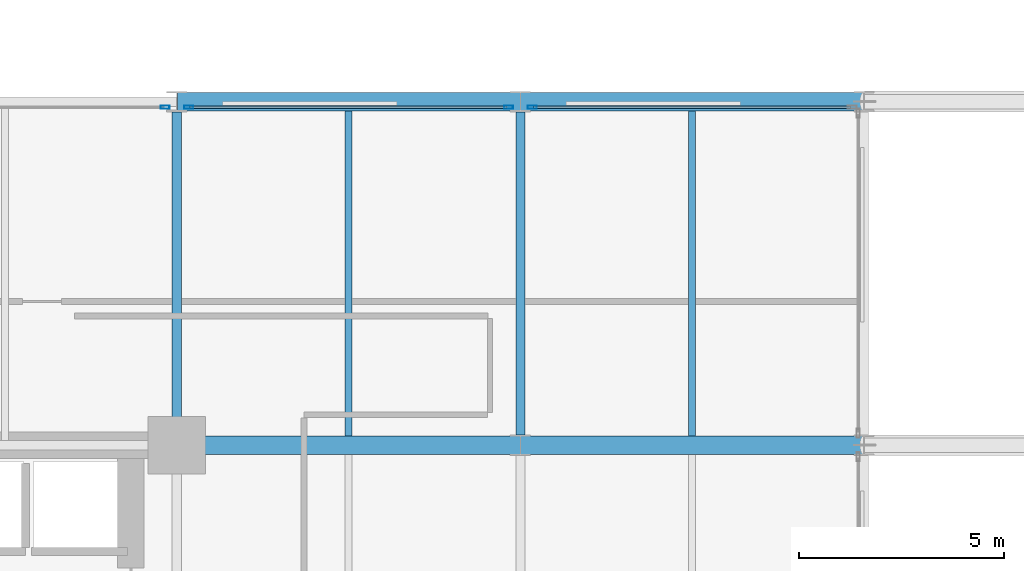
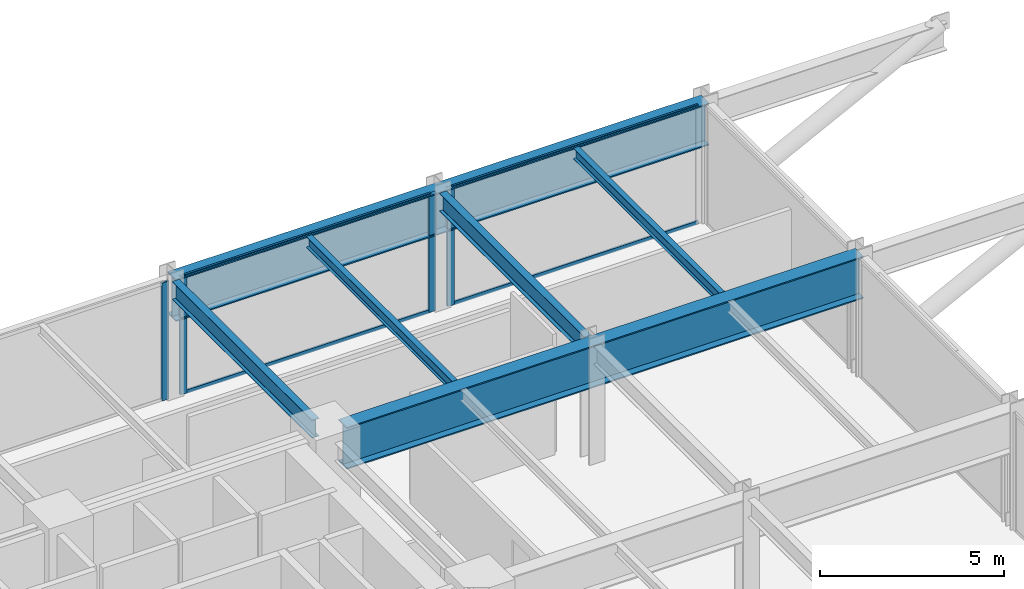
# One storey, part 12 of 25: 8 members, 6 beams, 3 elements without a shape of their own.
"""IFC4 building model written with IfcOpenShell, lengths in metres."""

from ifc_helpers import new_model, si_unit, direction, frame, origin, origin_2d, place, context, subcontext, project, spatial, hollow_rectangle, i_section, extrude, material, layer, layer_set, material_profile, profile_set, type_object, element, aggregate, save


model = new_model("IFC4")

# Units and contexts
model_context = context("Model", 3, precision=1e-05, world=origin(), true_north=direction((0.0, 1.0)))
body_context = subcontext(model_context, "Body", "Model", "MODEL_VIEW")
ifc_project = project(units=[si_unit("LENGTHUNIT", "METRE"), si_unit("AREAUNIT", "SQUARE_METRE"), si_unit("VOLUMEUNIT", "CUBIC_METRE"), si_unit("PLANEANGLEUNIT", "RADIAN"), si_unit("MASSUNIT", "GRAM", prefix="KILO")], contexts=[model_context])

# Site, building, storey
site_placement = place(None, origin())
site = spatial("IfcSite", under=ifc_project, at=site_placement, CompositionType="ELEMENT")
building_placement = place(site_placement, origin())
building = spatial("IfcBuilding", under=site, at=building_placement, Name="Nerrivon Quay Data Exchange", CompositionType="ELEMENT")
storey_placement = place(building_placement, frame((0.0, 0.0, 58.39990234375)))
storey = spatial("IfcBuildingStorey", under=building, at=storey_placement, Name="L13", CompositionType="ELEMENT", Elevation=58.39990234375)

# Beams
ifc_material_1 = material(Name="Steel Grade 350", Category="steel")
ifc_material_profile_1 = material_profile(ifc_material_1, i_section(OverallWidth=0.22802734375, OverallDepth=0.60205078125, WebThickness=0.010498046875, FlangeThickness=0.014892578125, FilletRadius=0.013916015625, at=origin_2d()), Name="610UB101")
ifc_profile_set_1 = profile_set([ifc_material_profile_1], Name="Steel Grade 350")
beam_type_1 = type_object("IfcBeamType", Name="BM-G2-610UB101", PredefinedType="BEAM", material=ifc_profile_set_1)
beam_1_placement = place(storey_placement, frame((33.60009765625, 17.340087890625, 3.6240234375), z_axis=(0.0, 1.0, 0.0), x_axis=(-1.0, 0.0, 0.0)))
element("IfcBeam", 1, at=beam_1_placement, inside=storey, type_object=beam_type_1, Name="L13 NS Girder X=33.6 (16.8..25.2)", PredefinedType="BEAM", context=body_context, shape_type="SweptSolid", body=[
    extrude(i_section(OverallWidth=0.22802734375, OverallDepth=0.60205078125, WebThickness=0.010498046875, FlangeThickness=0.014892578125, FilletRadius=0.013916015625, at=origin_2d()), origin(), (0.0, 0.0, 1.0), 7.60986328125),
])
beam_2_placement = place(storey_placement, frame((42.0, 17.050048828125, 3.6240234375), z_axis=(0.0, 1.0, 0.0), x_axis=(-1.0, 0.0, 0.0)))
element("IfcBeam", 2, at=beam_2_placement, inside=storey, type_object=beam_type_1, Name="L13 NS Girder X=42.0 (16.8..25.2)", PredefinedType="BEAM", context=body_context, shape_type="SweptSolid", body=[
    extrude(i_section(OverallWidth=0.22802734375, OverallDepth=0.60205078125, WebThickness=0.010498046875, FlangeThickness=0.014892578125, FilletRadius=0.013916015625, at=origin_2d()), origin(), (0.0, 0.0, 1.0), 7.89990234375),
])
ifc_material_profile_2 = material_profile(ifc_material_1, i_section(OverallWidth=0.172119140625, OverallDepth=0.35888671875, WebThickness=0.008056640625, FlangeThickness=0.012939453125, FilletRadius=0.011474609375, at=origin_2d()), Name="360UB56.7")
ifc_profile_set_2 = profile_set([ifc_material_profile_2], Name="Steel Grade 350")
beam_type_2 = type_object("IfcBeamType", Name="BM-J3-360UB57", PredefinedType="JOIST", material=ifc_profile_set_2)
for number, where, z_axis, x_axis, name in (
    (3, (37.800048828125, 17.02490234375, 3.74560546875), (0.0, 1.0, 0.0), (-1.0, 0.0, 0.0), "L13 Secondary Joist X=37.8 (16.8..25.2)"),
    (4, (46.199951171875, 17.02490234375, 3.74560546875), (0.0, 1.0, 0.0), (-1.0, 0.0, 0.0), "L13 Secondary Joist X=46.2 (16.8..25.2)"),
):
    element("IfcBeam", number, at=place(storey_placement, frame(where, z_axis=z_axis, x_axis=x_axis)), inside=storey, type_object=beam_type_2, Name=name, PredefinedType="JOIST", context=body_context, shape_type="SweptSolid", body=[
        extrude(i_section(OverallWidth=0.172119140625, OverallDepth=0.35888671875, WebThickness=0.008056640625, FlangeThickness=0.012939453125, FilletRadius=0.011474609375, at=origin_2d()), origin(), (0.0, 0.0, 1.0), 7.9501953125),
    ])
ifc_material_profile_3 = material_profile(ifc_material_1, i_section(OverallWidth=0.449951171875, OverallDepth=1.39990234375, WebThickness=0.02001953125, FlangeThickness=0.0400390625, at=origin_2d()), Name="1400WG455")
ifc_profile_set_3 = profile_set([ifc_material_profile_3], Name="Steel Grade 350")
beam_type_3 = type_object("IfcBeamType", Name="BM-TG1-1400WG", PredefinedType="USERDEFINED", material=ifc_profile_set_3)
beam_3_placement = place(storey_placement, frame((34.139892578125, 16.800048828125, 3.22509765625), z_axis=(1.0, 0.0, 0.0), x_axis=(0.0, 1.0, 0.0)))
element("IfcBeam", 5, at=beam_3_placement, inside=storey, type_object=beam_type_3, Name="L13 EW Girder Y=16.8 (33.6..42.0)", ObjectType="TRANSFER", PredefinedType="USERDEFINED", context=body_context, shape_type="SweptSolid", body=[
    extrude(i_section(OverallWidth=0.449951171875, OverallDepth=1.39990234375, WebThickness=0.02001953125, FlangeThickness=0.0400390625, at=origin_2d()), origin(), (0.0, 0.0, 1.0), 16.24609375),
])
beam_4_placement = place(storey_placement, frame((33.614013671875, 25.199951171875, 3.22509765625), z_axis=(1.0, 0.0, 0.0), x_axis=(0.0, 1.0, 0.0)))
element("IfcBeam", 6, at=beam_4_placement, inside=storey, type_object=beam_type_3, Name="L13 EW Girder Y=25.2 (33.6..42.0)", ObjectType="TRANSFER", PredefinedType="USERDEFINED", context=body_context, shape_type="SweptSolid", body=[
    extrude(i_section(OverallWidth=0.449951171875, OverallDepth=1.39990234375, WebThickness=0.02001953125, FlangeThickness=0.0400390625, at=origin_2d()), origin(), (0.0, 0.0, 1.0), 16.77197265625),
])

# Curtain wall, member
ifc_material_2 = material(Name="Anodised aluminium 6063-T6", Category="aluminium")
ifc_layer = layer(ifc_material_2, 0.219970703125)
ifc_layer_set = layer_set([ifc_layer], Name="Anodised aluminium 6063-T6")
curtain_wall_type = type_object("IfcCurtainWallType", Name="CW-SYS-01", PredefinedType="NOTDEFINED", material=ifc_layer_set)
curtain_wall_1_placement = place(storey_placement, origin())
curtain_wall_1 = element("IfcCurtainWall", 7, at=curtain_wall_1_placement, inside=storey, type_object=curtain_wall_type, Name="L13 Unitised Curtain Wall 28", PredefinedType="NOTDEFINED")
ifc_material_profile_4 = material_profile(ifc_material_2, hollow_rectangle(XDim=0.074951171875, YDim=0.219970703125, WallThickness=0.00390625, at=origin_2d()), Name="ALU-MULL-220x75")
ifc_profile_set_4 = profile_set([ifc_material_profile_4], Name="Anodised aluminium 6063-T6")
member_type_1 = type_object("IfcMemberType", Name="CWM-220x75", PredefinedType="MULLION", material=ifc_profile_set_4)
member_1_placement = place(storey_placement, frame((33.3125, 25.06005859375, 0.0), z_axis=(0.0, 0.0, 1.0), x_axis=(0.0, 1.0, 0.0)))
member_1 = element("IfcMember", 8, at=member_1_placement, type_object=member_type_1, Name="CW01 mullion 2", PredefinedType="MULLION", context=body_context, shape_type="SweptSolid", body=[
    extrude(hollow_rectangle(XDim=0.074951171875, YDim=0.219970703125, WallThickness=0.00390625, at=origin_2d()), origin(), (0.0, 0.0, 1.0), 3.925048828125),
])
aggregate(curtain_wall_1, [member_1])

# Curtain wall, members
curtain_wall_2_placement = place(storey_placement, origin())
curtain_wall_2 = element("IfcCurtainWall", 9, at=curtain_wall_2_placement, inside=storey, type_object=curtain_wall_type, Name="L13 Unitised Curtain Wall 29", PredefinedType="NOTDEFINED")
member_2_placement = place(storey_placement, frame((33.887451171875, 25.06005859375, 0.0), z_axis=(0.0, 0.0, 1.0), x_axis=(0.0, 1.0, 0.0)))
member_2 = element("IfcMember", 10, at=member_2_placement, type_object=member_type_1, Name="CW01 mullion 1", PredefinedType="MULLION", context=body_context, shape_type="SweptSolid", body=[
    extrude(hollow_rectangle(XDim=0.074951171875, YDim=0.219970703125, WallThickness=0.00390625, at=origin_2d()), origin(), (0.0, 0.0, 1.0), 3.925048828125),
])
member_3_placement = place(storey_placement, frame((41.71240234375, 25.06005859375, 0.0), z_axis=(0.0, 0.0, 1.0), x_axis=(0.0, 1.0, 0.0)))
member_3 = element("IfcMember", 11, at=member_3_placement, type_object=member_type_1, Name="CW01 mullion 2", PredefinedType="MULLION", context=body_context, shape_type="SweptSolid", body=[
    extrude(hollow_rectangle(XDim=0.074951171875, YDim=0.219970703125, WallThickness=0.00390625, at=origin_2d()), origin(), (0.0, 0.0, 1.0), 3.925048828125),
])

# Curtain wall, member
curtain_wall_3_placement = place(storey_placement, origin())
curtain_wall_3 = element("IfcCurtainWall", 12, at=curtain_wall_3_placement, inside=storey, type_object=curtain_wall_type, Name="L13 Unitised Curtain Wall 30", PredefinedType="NOTDEFINED")
member_4_placement = place(storey_placement, frame((42.28759765625, 25.06005859375, 0.0), z_axis=(0.0, 0.0, 1.0), x_axis=(0.0, 1.0, 0.0)))
member_4 = element("IfcMember", 13, at=member_4_placement, type_object=member_type_1, Name="CW01 mullion 1", PredefinedType="MULLION", context=body_context, shape_type="SweptSolid", body=[
    extrude(hollow_rectangle(XDim=0.074951171875, YDim=0.219970703125, WallThickness=0.00390625, at=origin_2d()), origin(), (0.0, 0.0, 1.0), 3.925048828125),
])

# Member
ifc_material_profile_5 = material_profile(ifc_material_2, hollow_rectangle(XDim=0.06005859375, YDim=0.1201171875, WallThickness=0.003173828125, at=origin_2d()), Name="ALU-TRAN-120x60")
ifc_profile_set_5 = profile_set([ifc_material_profile_5], Name="Anodised aluminium 6063-T6")
member_type_2 = type_object("IfcMemberType", Name="CWT-120x60", PredefinedType="USERDEFINED", material=ifc_profile_set_5)
member_5_placement = place(storey_placement, frame((33.925048828125, 25.06005859375, 0.03271484375), z_axis=(1.0, 0.0, 0.0), x_axis=(0.0, 1.0, 0.0)))
member_5 = element("IfcMember", 14, at=member_5_placement, type_object=member_type_2, Name="CW01 transom 1.1", ObjectType="TRANSOM", PredefinedType="USERDEFINED", context=body_context, shape_type="SweptSolid", body=[
    extrude(hollow_rectangle(XDim=0.06005859375, YDim=0.1201171875, WallThickness=0.003173828125, at=origin_2d()), origin(), (0.0, 0.0, 1.0), 7.75),
])

member_6_placement = place(storey_placement, frame((33.925048828125, 25.06005859375, 3.892578125), z_axis=(1.0, 0.0, 0.0), x_axis=(0.0, 1.0, 0.0)))
member_6 = element("IfcMember", 15, at=member_6_placement, type_object=member_type_2, Name="CW01 transom 1.2", ObjectType="TRANSOM", PredefinedType="USERDEFINED", context=body_context, shape_type="SweptSolid", body=[
    extrude(hollow_rectangle(XDim=0.06005859375, YDim=0.1201171875, WallThickness=0.003173828125, at=origin_2d()), origin(), (0.0, 0.0, 1.0), 7.75),
])

aggregate(curtain_wall_2, [member_2, member_3, member_5, member_6])

member_7_placement = place(storey_placement, frame((42.324951171875, 25.06005859375, 0.03271484375), z_axis=(1.0, 0.0, 0.0), x_axis=(0.0, 1.0, 0.0)))
member_7 = element("IfcMember", 16, at=member_7_placement, type_object=member_type_2, Name="CW01 transom 1.1", ObjectType="TRANSOM", PredefinedType="USERDEFINED", context=body_context, shape_type="SweptSolid", body=[
    extrude(hollow_rectangle(XDim=0.06005859375, YDim=0.1201171875, WallThickness=0.003173828125, at=origin_2d()), origin(), (0.0, 0.0, 1.0), 7.75),
])

member_8_placement = place(storey_placement, frame((42.324951171875, 25.06005859375, 3.892578125), z_axis=(1.0, 0.0, 0.0), x_axis=(0.0, 1.0, 0.0)))
member_8 = element("IfcMember", 17, at=member_8_placement, type_object=member_type_2, Name="CW01 transom 1.2", ObjectType="TRANSOM", PredefinedType="USERDEFINED", context=body_context, shape_type="SweptSolid", body=[
    extrude(hollow_rectangle(XDim=0.06005859375, YDim=0.1201171875, WallThickness=0.003173828125, at=origin_2d()), origin(), (0.0, 0.0, 1.0), 7.75),
])

aggregate(curtain_wall_3, [member_4, member_7, member_8])

save(model, "model.ifc")
